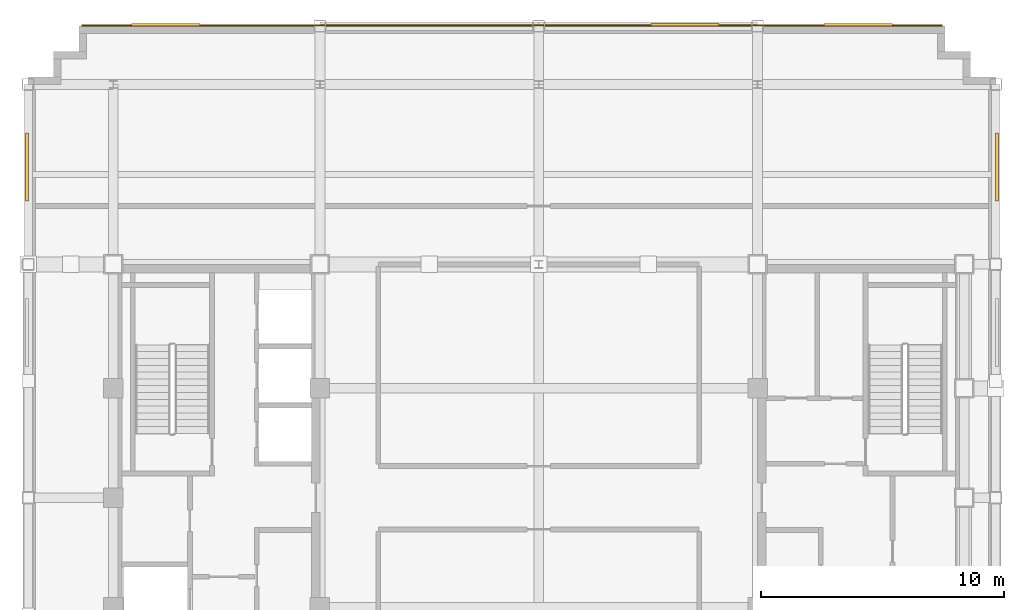
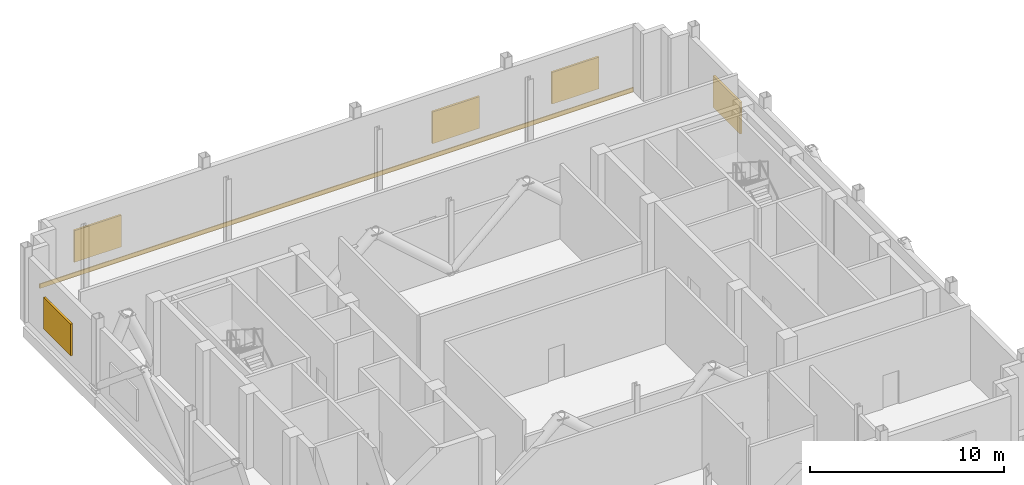
# One storey, part 12 of 12: 5 shading devices, 1 covering.
"""IFC4 building model written with IfcOpenShell, lengths in metres."""

from ifc_helpers import new_model, si_unit, direction, frame, origin, origin_2d, place, context, subcontext, project, spatial, rectangle, extrude, source, transform, mapped, material, layer, layer_set, type_object, type_shapes, element, save


model = new_model("IFC4")

# Units and contexts
model_context = context("Model", 3, precision=1e-05, world=origin(), true_north=direction((0.0, 1.0)))
body_context = subcontext(model_context, "Body", "Model", "MODEL_VIEW")
ifc_project = project(units=[si_unit("LENGTHUNIT", "METRE"), si_unit("AREAUNIT", "SQUARE_METRE"), si_unit("VOLUMEUNIT", "CUBIC_METRE"), si_unit("PLANEANGLEUNIT", "RADIAN"), si_unit("MASSUNIT", "GRAM", prefix="KILO")], contexts=[model_context])

# Site, building, storey
site_placement = place(None, origin())
site = spatial("IfcSite", under=ifc_project, at=site_placement, CompositionType="ELEMENT")
building_placement = place(site_placement, origin())
building = spatial("IfcBuilding", under=site, at=building_placement, Name="Nuvemarco Arch Tower", CompositionType="ELEMENT")
storey_placement = place(building_placement, frame((0.0, 0.0, 252.949951171875)))
storey = spatial("IfcBuildingStorey", under=building, at=storey_placement, Name="L67", CompositionType="ELEMENT", Elevation=252.949951171875)

# Shading devices
ifc_material_1 = material(Name="Anodised aluminium 6063-T6", Category="aluminium")
shading_device_type = type_object("IfcShadingDeviceType", Name="SHD-LOUVRE-PLANT", PredefinedType="JALOUSIE", material=ifc_material_1)
shared_shape_1 = source(origin(), body_context, "Body", "SweptSolid", [
    extrude(rectangle(XDim=2.800048828125, YDim=0.1201171875, at=origin_2d()), origin(), (0.0, 0.0, 1.0), 2.0),
])
type_shapes(shading_device_type, [shared_shape_1])
for number, where, z_axis, x_axis, name in (
    (1, (18.85498046875, 13.603271484375, 0.650146484375), (0.0, 0.0, 1.0), (0.0, 1.0, 0.0), "L67 acoustic plant louvre panel 5"),
    (2, (-15.340087890625, 19.455078125, 0.650146484375), (0.0, 0.0, 1.0), (1.0, 0.0, 0.0), "L67 acoustic plant louvre panel 1"),
    (3, (6.02001953125, 19.455078125, 0.650146484375), (0.0, 0.0, 1.0), (1.0, 0.0, 0.0), "L67 acoustic plant louvre panel 4"),
    (4, (13.139892578125, 19.455078125, 0.650146484375), (0.0, 0.0, 1.0), (1.0, 0.0, 0.0), "L67 acoustic plant louvre panel 5"),
    (5, (-21.054931640625, 13.603271484375, 0.650146484375), (0.0, 0.0, 1.0), (0.0, 1.0, 0.0), "L67 acoustic plant louvre panel 5"),
):
    element("IfcShadingDevice", number, at=place(storey_placement, frame(where, z_axis=z_axis, x_axis=x_axis)), inside=storey, type_object=shading_device_type, Name=name, PredefinedType="JALOUSIE", context=body_context, shape_type="MappedRepresentation", body=[
        mapped(shared_shape_1, transform((0.0, 0.0, 0.0), scale=1.0)),
    ])

# Covering
ifc_material_2 = material(Name="Precast concrete C45/55", Category="concrete")
ifc_layer = layer(ifc_material_2, 0.06005859375, Name="COV-SPANDREL-CLAD")
ifc_layer_set = layer_set([ifc_layer], Name="Precast concrete C45/55")
covering_type = type_object("IfcCoveringType", Name="COV-SPANDREL-CLAD", PredefinedType="CLADDING", material=ifc_layer_set)
shared_shape_2 = source(origin(), body_context, "Body", "SweptSolid", [
    extrude(rectangle(XDim=35.39990234375, YDim=0.06005859375, at=origin_2d()), origin(), (0.0, 0.0, 1.0), 0.280029296875),
])
type_shapes(covering_type, [shared_shape_2])
covering_placement = place(storey_placement, frame((-1.10009765625, 19.428955078125, -0.27978515625), z_axis=(0.0, 0.0, 1.0), x_axis=(1.0, 0.0, 0.0)))
element("IfcCovering", 6, at=covering_placement, inside=storey, type_object=covering_type, Name="L67 precast spandrel edge cladding north", PredefinedType="CLADDING", context=body_context, shape_type="MappedRepresentation", body=[
    mapped(shared_shape_2, transform((0.0, 0.0, 0.0), scale=1.0)),
])

save(model, "model.ifc")
